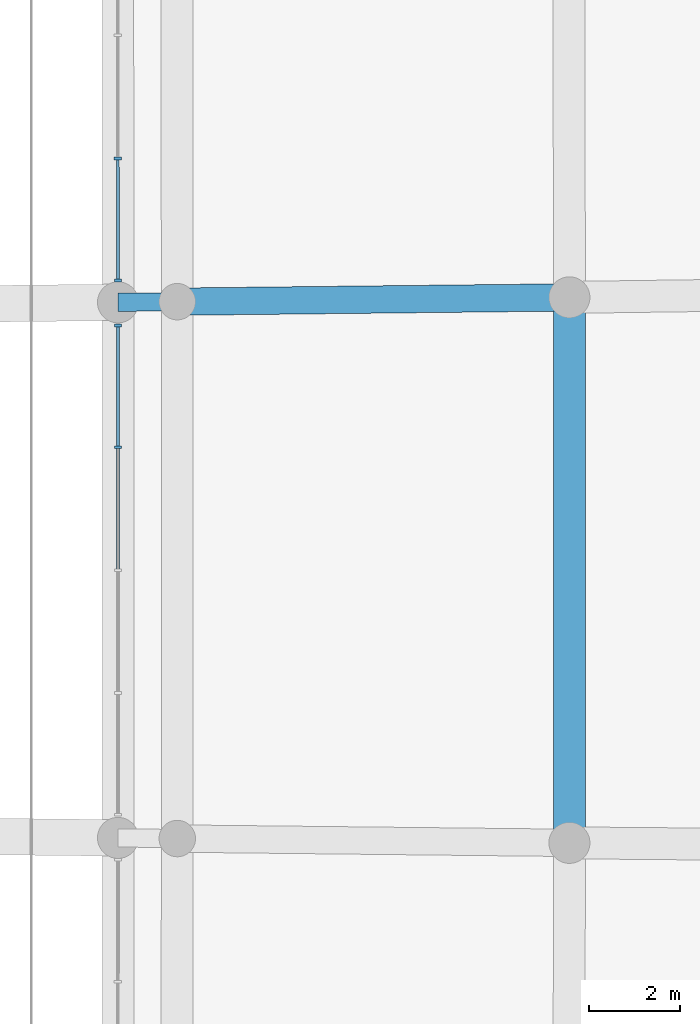
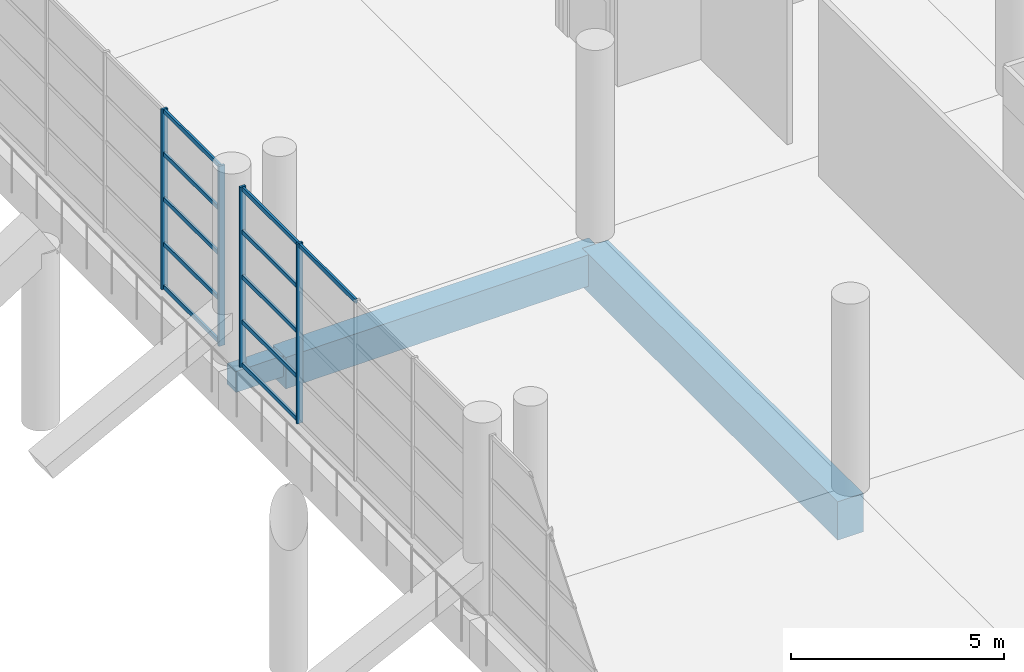
# One storey, part 57 of 271: 15 members, 3 beams, 2 elements without a shape of their own.
"""IFC4 building model written with IfcOpenShell, lengths in metres."""

from ifc_helpers import new_model, si_unit, direction, frame, origin, origin_2d, place, context, subcontext, project, spatial, rectangle, extrude, material, layer, layer_set, material_profile, profile_set, type_object, element, aggregate, save


model = new_model("IFC4")

# Units and contexts
model_context = context("Model", 3, precision=1e-05, world=origin(), true_north=direction((0.0, 1.0)))
body_context = subcontext(model_context, "Body", "Model", "MODEL_VIEW")
ifc_project = project(units=[si_unit("LENGTHUNIT", "METRE"), si_unit("AREAUNIT", "SQUARE_METRE"), si_unit("VOLUMEUNIT", "CUBIC_METRE"), si_unit("PLANEANGLEUNIT", "RADIAN"), si_unit("MASSUNIT", "GRAM", prefix="KILO")], contexts=[model_context])

# Site, building, storey
site_placement = place(None, origin())
site = spatial("IfcSite", under=ifc_project, at=site_placement, CompositionType="ELEMENT")
building_placement = place(site_placement, origin())
building = spatial("IfcBuilding", under=site, at=building_placement, Name="Meseta Stadium", CompositionType="ELEMENT")
storey_placement = place(building_placement, frame((0.0, 0.0, 6.5)))
storey = spatial("IfcBuildingStorey", under=building, at=storey_placement, Name="L01", CompositionType="ELEMENT", Elevation=6.5)

# Curtain wall, members
ifc_material_1 = material(Name="Aluminium", Category="aluminium")
ifc_layer = layer(ifc_material_1, 0.199951171875)
ifc_layer_set = layer_set([ifc_layer], Name="Club glazing curtain wall")
curtain_wall_type = type_object("IfcCurtainWallType", Name="Club glazing curtain wall", PredefinedType="NOTDEFINED", material=ifc_layer_set)
curtain_wall_1_placement = place(storey_placement, origin())
curtain_wall_1 = element("IfcCurtainWall", 1, at=curtain_wall_1_placement, inside=storey, type_object=curtain_wall_type, Name="Club glazing bay 04", PredefinedType="NOTDEFINED")
ifc_material_2 = material(Name="Aluminium", Category="aluminium")
ifc_material_profile_1 = material_profile(ifc_material_2, rectangle(XDim=0.159912109375, YDim=0.06005859375, at=origin_2d()), Name="CW 160x60")
ifc_profile_set_1 = profile_set([ifc_material_profile_1], Name="Aluminium")
member_type_1 = type_object("IfcMemberType", Name="CW mullion 60x160", PredefinedType="MULLION", material=ifc_profile_set_1)
member_1_placement = place(storey_placement, frame((63.5986328125, 2.697021484375, 0.0), z_axis=(0.0, 0.0, 1.0), x_axis=(-1.0, 0.0, 0.0)))
member_1 = element("IfcMember", 2, at=member_1_placement, type_object=member_type_1, Name="CWC mullion 4", PredefinedType="MULLION", context=body_context, shape_type="SweptSolid", body=[
    extrude(rectangle(XDim=0.159912109375, YDim=0.06005859375, at=origin_2d()), origin(), (0.0, 0.0, 1.0), 5.14990234375),
])
member_2_placement = place(storey_placement, frame((63.5986328125, 5.36376953125, 0.0), z_axis=(0.0, 0.0, 1.0), x_axis=(-1.0, 0.0, 0.0)))
member_2 = element("IfcMember", 3, at=member_2_placement, type_object=member_type_1, Name="CWC mullion 5", PredefinedType="MULLION", context=body_context, shape_type="SweptSolid", body=[
    extrude(rectangle(XDim=0.159912109375, YDim=0.06005859375, at=origin_2d()), origin(), (0.0, 0.0, 1.0), 5.14990234375),
])

curtain_wall_2_placement = place(storey_placement, origin())
curtain_wall_2 = element("IfcCurtainWall", 4, at=curtain_wall_2_placement, inside=storey, type_object=curtain_wall_type, Name="Club glazing bay 05", PredefinedType="NOTDEFINED")
member_3_placement = place(storey_placement, frame((63.59814453125, 6.352783203125, 0.0), z_axis=(0.0, 0.0, 1.0), x_axis=(-0.999999572613, -0.000924539991, 0.0)))
member_3 = element("IfcMember", 5, at=member_3_placement, type_object=member_type_1, Name="CWC mullion 1", PredefinedType="MULLION", context=body_context, shape_type="SweptSolid", body=[
    extrude(rectangle(XDim=0.159912109375, YDim=0.06005859375, at=origin_2d()), origin(), (0.0, 0.0, 1.0), 5.14990234375),
])
member_4_placement = place(storey_placement, frame((63.595703125, 9.02685546875, 0.0), z_axis=(0.0, 0.0, 1.0), x_axis=(-0.999999572613, -0.000924539991, 0.0)))
member_4 = element("IfcMember", 6, at=member_4_placement, type_object=member_type_1, Name="CWC mullion 2", PredefinedType="MULLION", context=body_context, shape_type="SweptSolid", body=[
    extrude(rectangle(XDim=0.159912109375, YDim=0.06005859375, at=origin_2d()), origin(), (0.0, 0.0, 1.0), 5.14990234375),
])

# Member
ifc_material_3 = material(Name="Aluminium", Category="aluminium")
ifc_material_profile_2 = material_profile(ifc_material_3, rectangle(XDim=0.06005859375, YDim=0.1201171875, at=origin_2d()), Name="CW 60x120")
ifc_profile_set_2 = profile_set([ifc_material_profile_2], Name="Aluminium")
member_type_2 = type_object("IfcMemberType", Name="CW transom 60x120", PredefinedType="USERDEFINED", material=ifc_profile_set_2)
member_5_placement = place(storey_placement, frame((63.5986328125, 0.030029296875, 5.090087890625), z_axis=(0.0, 1.0, 0.0), x_axis=(-1.0, 0.0, 0.0)))
member_5 = element("IfcMember", 7, at=member_5_placement, type_object=member_type_2, Name="CWC transom 3.5", ObjectType="TRANSOM", PredefinedType="USERDEFINED", context=body_context, shape_type="SweptSolid", body=[
    extrude(rectangle(XDim=0.06005859375, YDim=0.1201171875, at=origin_2d()), origin(), (0.0, 0.0, 1.0), 2.636962890625),
])

member_6_placement = place(storey_placement, frame((63.5986328125, 2.726806640625, 0.06005859375), z_axis=(0.0, 1.0, 0.0), x_axis=(-1.0, 0.0, 0.0)))
member_6 = element("IfcMember", 8, at=member_6_placement, type_object=member_type_2, Name="CWC transom 4.1", ObjectType="TRANSOM", PredefinedType="USERDEFINED", context=body_context, shape_type="SweptSolid", body=[
    extrude(rectangle(XDim=0.06005859375, YDim=0.1201171875, at=origin_2d()), origin(), (0.0, 0.0, 1.0), 2.60693359375),
])

member_7_placement = place(storey_placement, frame((63.5986328125, 2.726806640625, 1.28759765625), z_axis=(0.0, 1.0, 0.0), x_axis=(-1.0, 0.0, 0.0)))
member_7 = element("IfcMember", 9, at=member_7_placement, type_object=member_type_2, Name="CWC transom 4.2", ObjectType="TRANSOM", PredefinedType="USERDEFINED", context=body_context, shape_type="SweptSolid", body=[
    extrude(rectangle(XDim=0.06005859375, YDim=0.1201171875, at=origin_2d()), origin(), (0.0, 0.0, 1.0), 2.60693359375),
])

member_8_placement = place(storey_placement, frame((63.5986328125, 2.726806640625, 2.574951171875), z_axis=(0.0, 1.0, 0.0), x_axis=(-1.0, 0.0, 0.0)))
member_8 = element("IfcMember", 10, at=member_8_placement, type_object=member_type_2, Name="CWC transom 4.3", ObjectType="TRANSOM", PredefinedType="USERDEFINED", context=body_context, shape_type="SweptSolid", body=[
    extrude(rectangle(XDim=0.06005859375, YDim=0.1201171875, at=origin_2d()), origin(), (0.0, 0.0, 1.0), 2.60693359375),
])

member_9_placement = place(storey_placement, frame((63.5986328125, 2.726806640625, 3.862548828125), z_axis=(0.0, 1.0, 0.0), x_axis=(-1.0, 0.0, 0.0)))
member_9 = element("IfcMember", 11, at=member_9_placement, type_object=member_type_2, Name="CWC transom 4.4", ObjectType="TRANSOM", PredefinedType="USERDEFINED", context=body_context, shape_type="SweptSolid", body=[
    extrude(rectangle(XDim=0.06005859375, YDim=0.1201171875, at=origin_2d()), origin(), (0.0, 0.0, 1.0), 2.60693359375),
])

member_10_placement = place(storey_placement, frame((63.5986328125, 2.726806640625, 5.090087890625), z_axis=(0.0, 1.0, 0.0), x_axis=(-1.0, 0.0, 0.0)))
member_10 = element("IfcMember", 12, at=member_10_placement, type_object=member_type_2, Name="CWC transom 4.5", ObjectType="TRANSOM", PredefinedType="USERDEFINED", context=body_context, shape_type="SweptSolid", body=[
    extrude(rectangle(XDim=0.06005859375, YDim=0.1201171875, at=origin_2d()), origin(), (0.0, 0.0, 1.0), 2.60693359375),
])

aggregate(curtain_wall_1, [member_1, member_2, member_5, member_6, member_7, member_8, member_9, member_10])

member_11_placement = place(storey_placement, frame((63.59814453125, 6.3828125, 0.06005859375), z_axis=(-0.000933968025, 0.999999563852, 0.0), x_axis=(-0.999999563852, -0.000933968025, 0.0)))
member_11 = element("IfcMember", 13, at=member_11_placement, type_object=member_type_2, Name="CWC transom 1.1", ObjectType="TRANSOM", PredefinedType="USERDEFINED", context=body_context, shape_type="SweptSolid", body=[
    extrude(rectangle(XDim=0.06005859375, YDim=0.1201171875, at=origin_2d()), origin(), (0.0, 0.0, 1.0), 2.614013671875),
])

member_12_placement = place(storey_placement, frame((63.59814453125, 6.3828125, 1.28759765625), z_axis=(-0.000933968025, 0.999999563852, 0.0), x_axis=(-0.999999563852, -0.000933968025, 0.0)))
member_12 = element("IfcMember", 14, at=member_12_placement, type_object=member_type_2, Name="CWC transom 1.2", ObjectType="TRANSOM", PredefinedType="USERDEFINED", context=body_context, shape_type="SweptSolid", body=[
    extrude(rectangle(XDim=0.06005859375, YDim=0.1201171875, at=origin_2d()), origin(), (0.0, 0.0, 1.0), 2.614013671875),
])

member_13_placement = place(storey_placement, frame((63.59814453125, 6.3828125, 2.574951171875), z_axis=(-0.000933968025, 0.999999563852, 0.0), x_axis=(-0.999999563852, -0.000933968025, 0.0)))
member_13 = element("IfcMember", 15, at=member_13_placement, type_object=member_type_2, Name="CWC transom 1.3", ObjectType="TRANSOM", PredefinedType="USERDEFINED", context=body_context, shape_type="SweptSolid", body=[
    extrude(rectangle(XDim=0.06005859375, YDim=0.1201171875, at=origin_2d()), origin(), (0.0, 0.0, 1.0), 2.614013671875),
])

member_14_placement = place(storey_placement, frame((63.59814453125, 6.3828125, 3.862548828125), z_axis=(-0.000933968025, 0.999999563852, 0.0), x_axis=(-0.999999563852, -0.000933968025, 0.0)))
member_14 = element("IfcMember", 16, at=member_14_placement, type_object=member_type_2, Name="CWC transom 1.4", ObjectType="TRANSOM", PredefinedType="USERDEFINED", context=body_context, shape_type="SweptSolid", body=[
    extrude(rectangle(XDim=0.06005859375, YDim=0.1201171875, at=origin_2d()), origin(), (0.0, 0.0, 1.0), 2.614013671875),
])

member_15_placement = place(storey_placement, frame((63.59814453125, 6.3828125, 5.090087890625), z_axis=(-0.000933968025, 0.999999563852, 0.0), x_axis=(-0.999999563852, -0.000933968025, 0.0)))
member_15 = element("IfcMember", 17, at=member_15_placement, type_object=member_type_2, Name="CWC transom 1.5", ObjectType="TRANSOM", PredefinedType="USERDEFINED", context=body_context, shape_type="SweptSolid", body=[
    extrude(rectangle(XDim=0.06005859375, YDim=0.1201171875, at=origin_2d()), origin(), (0.0, 0.0, 1.0), 2.614013671875),
])

aggregate(curtain_wall_2, [member_3, member_4, member_11, member_12, member_13, member_14, member_15])

# Beams
ifc_material_4 = material(Name="Concrete C40/50", Category="concrete")
ifc_material_profile_3 = material_profile(ifc_material_4, rectangle(XDim=0.39990234375, YDim=0.60009765625, at=origin_2d()), Name="RC 400x600")
ifc_profile_set_3 = profile_set([ifc_material_profile_3], Name="Concrete C40/50")
beam_type_1 = type_object("IfcBeamType", Name="RC beam 400x600", PredefinedType="BEAM", material=ifc_profile_set_3)
beam_1_placement = place(storey_placement, frame((63.5986328125, 5.872802734375, -0.64990234375), z_axis=(0.999940687241, 0.010891372744, 0.0), x_axis=(-0.010891372744, 0.999940687241, 0.0)))
element("IfcBeam", 18, at=beam_1_placement, inside=storey, type_object=beam_type_1, Name="L01 radial beam frame 5 line C to D", PredefinedType="BEAM", context=body_context, shape_type="SweptSolid", body=[
    extrude(rectangle(XDim=0.39990234375, YDim=0.60009765625, at=origin_2d()), origin(), (0.0, 0.0, 1.0), 1.300048828125),
])
ifc_material_5 = material(Name="Concrete C40/50", Category="concrete")
ifc_material_profile_4 = material_profile(ifc_material_5, rectangle(XDim=0.60009765625, YDim=0.89990234375, at=origin_2d()), Name="RC 600x900")
ifc_profile_set_4 = profile_set([ifc_material_profile_4], Name="Concrete C40/50")
beam_type_2 = type_object("IfcBeamType", Name="RC beam 600x900", PredefinedType="BEAM", material=ifc_profile_set_4)
beam_2_placement = place(storey_placement, frame((64.898681640625, 5.886962890625, -0.800048828125), z_axis=(0.999939958323, 0.010958090563, 0.0), x_axis=(-0.010958090563, 0.999939958323, 0.0)))
element("IfcBeam", 19, at=beam_2_placement, inside=storey, type_object=beam_type_2, Name="L01 radial beam frame 5 line D to E", PredefinedType="BEAM", context=body_context, shape_type="SweptSolid", body=[
    extrude(rectangle(XDim=0.60009765625, YDim=0.89990234375, at=origin_2d()), origin(), (0.0, 0.0, 1.0), 8.599853515625),
])
ifc_material_6 = material(Name="Concrete C40/50", Category="concrete")
ifc_material_profile_5 = material_profile(ifc_material_6, rectangle(XDim=0.699951171875, YDim=1.10009765625, at=origin_2d()), Name="RC 700x1100")
ifc_profile_set_5 = profile_set([ifc_material_profile_5], Name="Concrete C40/50")
beam_type_3 = type_object("IfcBeamType", Name="RC beam 700x1100", PredefinedType="BEAM", material=ifc_profile_set_5)
beam_3_placement = place(storey_placement, frame((73.498046875, -5.981201171875, -0.89990234375), z_axis=(0.0, 1.0, 0.0), x_axis=(-1.0, 0.0, 0.0)))
element("IfcBeam", 20, at=beam_3_placement, inside=storey, type_object=beam_type_3, Name="L01 ring beam frame 4 line E", PredefinedType="BEAM", context=body_context, shape_type="SweptSolid", body=[
    extrude(rectangle(XDim=0.699951171875, YDim=1.10009765625, at=origin_2d()), origin(), (0.0, 0.0, 1.0), 11.96240234375),
])

save(model, "model.ifc")
